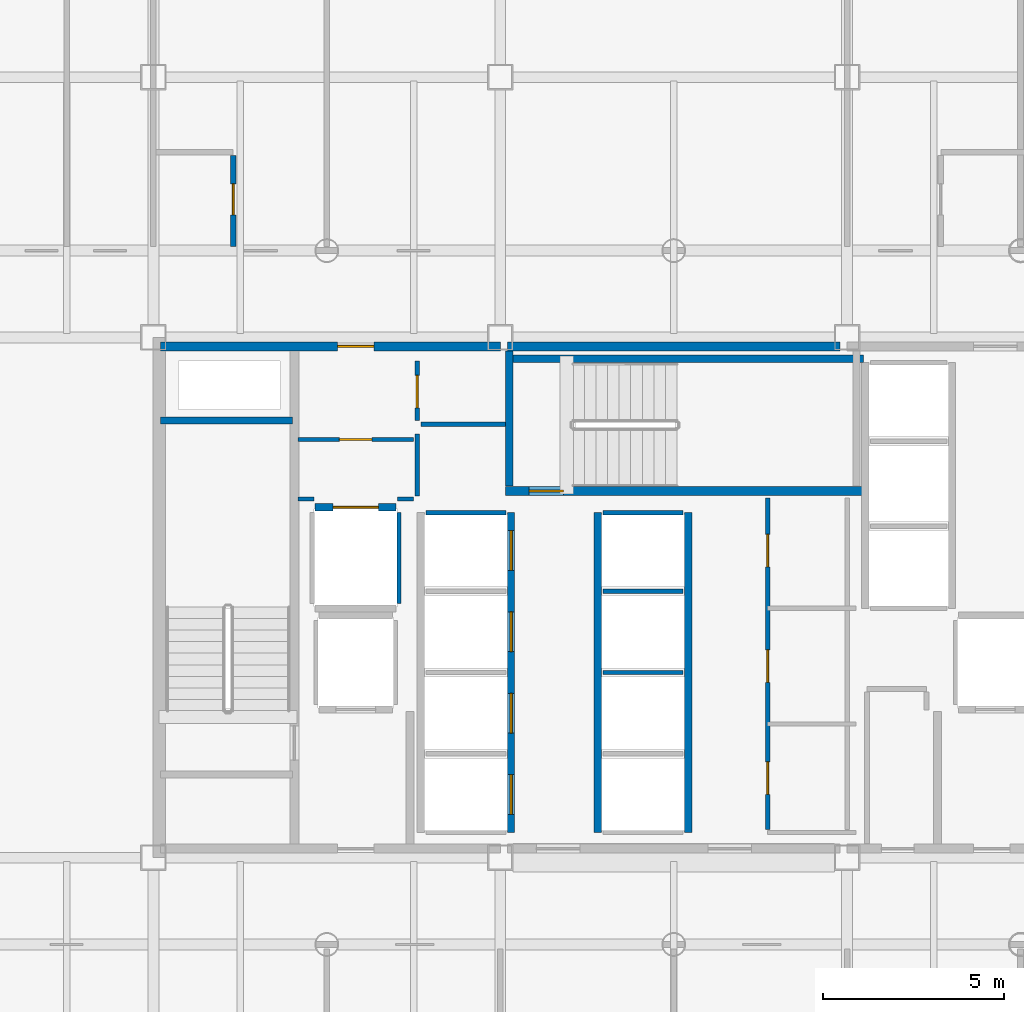
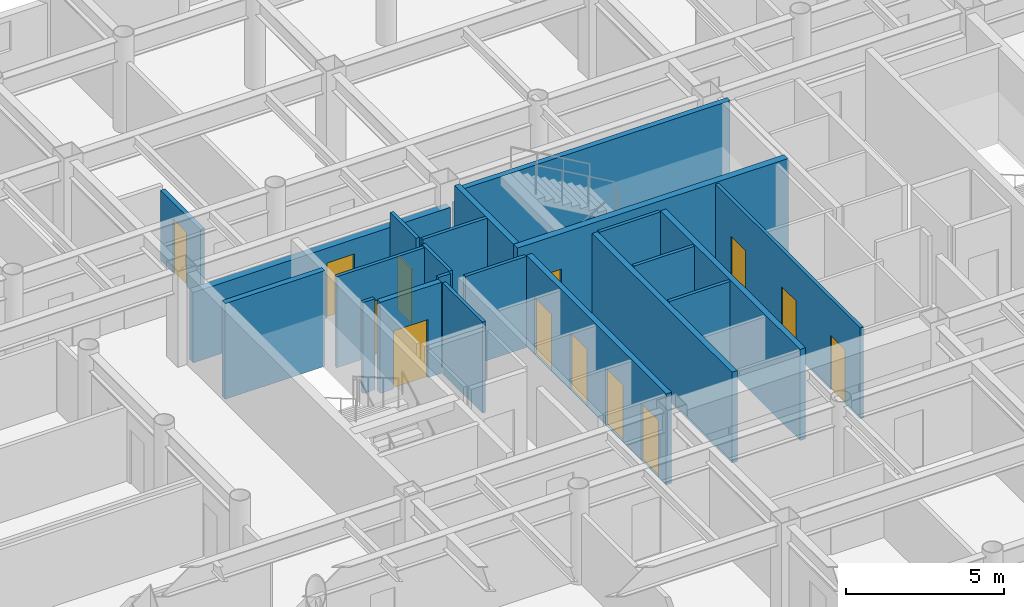
# One storey, part 18 of 22: 23 walls, 13 doors, 13 openings.
"""IFC4 building model written with IfcOpenShell, lengths in metres."""

from ifc_helpers import new_model, si_unit, direction, frame, frame_2d, origin, place, context, subcontext, project, spatial, rectangle, extrude, material, layer, layer_set, type_object, element, fill, save


model = new_model("IFC4")

# Units and contexts
model_context = context("Model", 3, precision=1e-05, world=origin(), true_north=direction((0.0, 1.0)))
body_context = subcontext(model_context, "Body", "Model", "MODEL_VIEW")
ifc_project = project(units=[si_unit("LENGTHUNIT", "METRE"), si_unit("AREAUNIT", "SQUARE_METRE"), si_unit("VOLUMEUNIT", "CUBIC_METRE"), si_unit("PLANEANGLEUNIT", "RADIAN"), si_unit("MASSUNIT", "GRAM", prefix="KILO")], contexts=[model_context])

# Site, building, storey
site_placement = place(None, origin())
site = spatial("IfcSite", under=ifc_project, at=site_placement, CompositionType="ELEMENT")
building_placement = place(site_placement, origin())
building = spatial("IfcBuilding", under=site, at=building_placement, Name="Kallvorn Hotel Tower", CompositionType="ELEMENT")
storey_placement = place(building_placement, frame((0.0, 0.0, 117.39990234375)))
storey = spatial("IfcBuildingStorey", under=building, at=storey_placement, Name="L28", CompositionType="ELEMENT", Elevation=117.39990234375)

# Wall, opening, door
ifc_material_1 = material(Name="Fire-rated double-layer acoustic gypsum drywall EI 60")
ifc_layer_1 = layer(ifc_material_1, 0.159912109375)
ifc_layer_set_1 = layer_set([ifc_layer_1], Name="WL_DEMISE_160")
wall_type_1 = type_object("IfcWallType", Name="WL_DEMISE_160", PredefinedType="PARTITIONING", material=ifc_layer_set_1)
wall_1_placement = place(storey_placement, frame((-12.18994140625, 9.719970703125, 0.0), z_axis=(0.0, 0.0, 1.0), x_axis=(0.0, 1.0, 0.0)))
wall_1 = element("IfcWall", 1, at=wall_1_placement, inside=storey, type_object=wall_type_1, Name="L28 Suite 2808 Standard Twin Room Partition", PredefinedType="PARTITIONING", context=body_context, shape_type="SweptSolid", body=[
    extrude(rectangle(XDim=2.51513671875, YDim=0.159912109375, at=frame_2d((1.257568359375, 0.0))), origin(), (0.0, 0.0, 1.0), 2.72021484375),
])
opening_1_placement = place(wall_1_placement, frame((0.8701171875, 0.0, 0.0)))
opening_1 = element("IfcOpeningElement", 2, at=opening_1_placement, cuts=wall_1, Name="Opening BD-I", PredefinedType="OPENING", context=body_context, shape_type="SweptSolid", body=[
    extrude(rectangle(XDim=0.860107421875, YDim=2.10009765625, at=frame_2d((0.43017578125, 1.050048828125))), frame((0.0, 0.094970703125, 0.0), z_axis=(0.0, -1.0, 0.0), x_axis=(1.0, 0.0, 0.0)), (0.0, 0.0, 1.0), 0.18994140625),
])
ifc_material_2 = material(Name="Solid-core walnut veneer fire-rated timber door leaf", Category="wood")
door_type_1 = type_object("IfcDoorType", Name="DR_BATH_860x2100", OperationType="NOTDEFINED", PredefinedType="DOOR", material=ifc_material_2)
door_1_placement = place(opening_1_placement, origin())
door_1 = element("IfcDoor", 3, at=door_1_placement, inside=storey, type_object=door_type_1, Name="L28 Suite 2808 En-Suite Bathroom Door", OperationType="SINGLE_SWING_RIGHT", OverallHeight=2.10009765625, OverallWidth=0.860107421875, PredefinedType="DOOR", context=body_context, shape_type="SweptSolid", body=[
    extrude(rectangle(XDim=0.860107421875, YDim=2.10009765625, at=frame_2d((0.43017578125, 1.050048828125))), frame((0.0, 0.02490234375, 0.0), z_axis=(0.0, -1.0, 0.0), x_axis=(1.0, 0.0, 0.0)), (0.0, 0.0, 1.0), 0.050048828125),
])
fill(opening_1, door_1)

# Walls
ifc_material_3 = material(Name="Concrete C40/50", Category="concrete")
ifc_layer_2 = layer(ifc_material_3, 0.199951171875)
ifc_layer_set_2 = layer_set([ifc_layer_2], Name="WL_HOIST_200")
wall_type_2 = type_object("IfcWallType", Name="WL_HOIST_200", PredefinedType="SOLIDWALL", material=ifc_layer_set_2)
wall_2_placement = place(storey_placement, frame((-14.199951171875, 4.89990234375, -0.179931640625), z_axis=(0.0, 0.0, 1.0), x_axis=(1.0, 0.0, 0.0)))
element("IfcWall", 4, at=wall_2_placement, inside=storey, type_object=wall_type_2, Name="L28 Stair ST1 North Wall", PredefinedType="SOLIDWALL", context=body_context, shape_type="SweptSolid", body=[
    extrude(rectangle(XDim=3.64990234375, YDim=0.199951171875, at=frame_2d((1.824951171875, 0.0))), origin(), (0.0, 0.0, 1.0), 3.699951171875),
])
wall_3_placement = place(storey_placement, frame((-4.64990234375, 6.610107421875, -0.179931640625), z_axis=(0.0, 0.0, 1.0), x_axis=(1.0, 0.0, 0.0)))
element("IfcWall", 5, at=wall_3_placement, inside=storey, type_object=wall_type_2, Name="L28 Stair ST3 Shaft North Wall", PredefinedType="SOLIDWALL", context=body_context, shape_type="SweptSolid", body=[
    extrude(rectangle(XDim=9.89990234375, YDim=0.199951171875, at=frame_2d((4.949951171875, 0.0))), origin(), (0.0, 0.0, 1.0), 3.699951171875),
])
wall_4_placement = place(storey_placement, frame((-4.550048828125, 3.080078125, -0.179931640625), z_axis=(0.0, 0.0, 1.0), x_axis=(0.0, 1.0, 0.0)))
element("IfcWall", 6, at=wall_4_placement, inside=storey, type_object=wall_type_2, Name="L28 Stair ST3 West Wall", PredefinedType="SOLIDWALL", context=body_context, shape_type="SweptSolid", body=[
    extrude(rectangle(XDim=3.739990234375, YDim=0.199951171875, at=frame_2d((1.8701171875, 0.0))), origin(), (0.0, 0.0, 1.0), 3.699951171875),
])

# Wall, openings, doors
wall_5_placement = place(storey_placement, frame((-4.5, -6.5, 0.0), z_axis=(0.0, 0.0, 1.0), x_axis=(0.0, 1.0, 0.0)))
wall_5 = element("IfcWall", 7, at=wall_5_placement, inside=storey, type_object=wall_type_2, Name="L28 Lift Bank B1 Landing Wall", PredefinedType="SOLIDWALL", context=body_context, shape_type="SweptSolid", body=[
    extrude(rectangle(XDim=8.85009765625, YDim=0.199951171875, at=frame_2d((4.425048828125, 0.0))), origin(), (0.0, 0.0, 1.0), 3.52001953125),
])
opening_2_placement = place(wall_5_placement, frame((0.5, 0.0, 0.0)))
opening_2 = element("IfcOpeningElement", 8, at=opening_2_placement, cuts=wall_5, Name="Opening LD-PL-01", PredefinedType="OPENING", context=body_context, shape_type="SweptSolid", body=[
    extrude(rectangle(XDim=1.10009765625, YDim=2.199951171875, at=frame_2d((0.550048828125, 1.10009765625))), frame((0.0, 0.114990234375, 0.0), z_axis=(0.0, -1.0, 0.0), x_axis=(1.0, 0.0, 0.0)), (0.0, 0.0, 1.0), 0.22998046875),
])
opening_3_placement = place(wall_5_placement, frame((2.75, 0.0, 0.0)))
opening_3 = element("IfcOpeningElement", 9, at=opening_3_placement, cuts=wall_5, Name="Opening LD-PL-02", PredefinedType="OPENING", context=body_context, shape_type="SweptSolid", body=[
    extrude(rectangle(XDim=1.10009765625, YDim=2.199951171875, at=frame_2d((0.550048828125, 1.10009765625))), frame((0.0, 0.114990234375, 0.0), z_axis=(0.0, -1.0, 0.0), x_axis=(1.0, 0.0, 0.0)), (0.0, 0.0, 1.0), 0.22998046875),
])
opening_4_placement = place(wall_5_placement, frame((5.0, 0.0, 0.0)))
opening_4 = element("IfcOpeningElement", 10, at=opening_4_placement, cuts=wall_5, Name="Opening LD-PL-03", PredefinedType="OPENING", context=body_context, shape_type="SweptSolid", body=[
    extrude(rectangle(XDim=1.10009765625, YDim=2.199951171875, at=frame_2d((0.550048828125, 1.10009765625))), frame((0.0, 0.114990234375, 0.0), z_axis=(0.0, -1.0, 0.0), x_axis=(1.0, 0.0, 0.0)), (0.0, 0.0, 1.0), 0.22998046875),
])
opening_5_placement = place(wall_5_placement, frame((7.25, 0.0, 0.0)))
opening_5 = element("IfcOpeningElement", 11, at=opening_5_placement, cuts=wall_5, Name="Opening LD-PL-04", PredefinedType="OPENING", context=body_context, shape_type="SweptSolid", body=[
    extrude(rectangle(XDim=1.10009765625, YDim=2.199951171875, at=frame_2d((0.550048828125, 1.10009765625))), frame((0.0, 0.114990234375, 0.0), z_axis=(0.0, -1.0, 0.0), x_axis=(1.0, 0.0, 0.0)), (0.0, 0.0, 1.0), 0.22998046875),
])
ifc_material_4 = material(Name="Brushed stainless-steel automatic sliding lift landing door", Category="steel")
door_type_2 = type_object("IfcDoorType", Name="LD_PASS_1100x2200", OperationType="SLIDING_TO_LEFT", PredefinedType="DOOR", material=ifc_material_4)
door_2_placement = place(opening_2_placement, origin())
door_2 = element("IfcDoor", 12, at=door_2_placement, inside=storey, type_object=door_type_2, Name="L28 Lift Landing Sliding Door LD-PL-01", OperationType="SLIDING_TO_LEFT", OverallHeight=2.199951171875, OverallWidth=1.10009765625, PredefinedType="DOOR", context=body_context, shape_type="SweptSolid", body=[
    extrude(rectangle(XDim=1.10009765625, YDim=2.199951171875, at=frame_2d((0.550048828125, 1.10009765625))), frame((0.0, 0.02490234375, 0.0), z_axis=(0.0, -1.0, 0.0), x_axis=(1.0, 0.0, 0.0)), (0.0, 0.0, 1.0), 0.050048828125),
])
fill(opening_2, door_2)
door_3_placement = place(opening_3_placement, origin())
door_3 = element("IfcDoor", 13, at=door_3_placement, inside=storey, type_object=door_type_2, Name="L28 Lift Landing Sliding Door LD-PL-02", OperationType="SLIDING_TO_LEFT", OverallHeight=2.199951171875, OverallWidth=1.10009765625, PredefinedType="DOOR", context=body_context, shape_type="SweptSolid", body=[
    extrude(rectangle(XDim=1.10009765625, YDim=2.199951171875, at=frame_2d((0.550048828125, 1.10009765625))), frame((0.0, 0.02490234375, 0.0), z_axis=(0.0, -1.0, 0.0), x_axis=(1.0, 0.0, 0.0)), (0.0, 0.0, 1.0), 0.050048828125),
])
fill(opening_3, door_3)
door_4_placement = place(opening_4_placement, origin())
door_4 = element("IfcDoor", 14, at=door_4_placement, inside=storey, type_object=door_type_2, Name="L28 Lift Landing Sliding Door LD-PL-03", OperationType="SLIDING_TO_LEFT", OverallHeight=2.199951171875, OverallWidth=1.10009765625, PredefinedType="DOOR", context=body_context, shape_type="SweptSolid", body=[
    extrude(rectangle(XDim=1.10009765625, YDim=2.199951171875, at=frame_2d((0.550048828125, 1.10009765625))), frame((0.0, 0.02490234375, 0.0), z_axis=(0.0, -1.0, 0.0), x_axis=(1.0, 0.0, 0.0)), (0.0, 0.0, 1.0), 0.050048828125),
])
fill(opening_4, door_4)
door_5_placement = place(opening_5_placement, origin())
door_5 = element("IfcDoor", 15, at=door_5_placement, inside=storey, type_object=door_type_2, Name="L28 Lift Landing Sliding Door LD-PL-04", OperationType="SLIDING_TO_LEFT", OverallHeight=2.199951171875, OverallWidth=1.10009765625, PredefinedType="DOOR", context=body_context, shape_type="SweptSolid", body=[
    extrude(rectangle(XDim=1.10009765625, YDim=2.199951171875, at=frame_2d((0.550048828125, 1.10009765625))), frame((0.0, 0.02490234375, 0.0), z_axis=(0.0, -1.0, 0.0), x_axis=(1.0, 0.0, 0.0)), (0.0, 0.0, 1.0), 0.050048828125),
])
fill(opening_5, door_5)

# Walls
for number, where, z_axis, x_axis, name in (
    (16, (-2.10009765625, -6.5, 0.0), (0.0, 0.0, 1.0), (0.0, 1.0, 0.0), "L28 Lift Bank B2 Landing Wall"),
    (17, (0.39990234375, -6.5, 0.0), (0.0, 0.0, 1.0), (0.0, 1.0, 0.0), "L28 Lift Bank B2 Rear Shaft Wall"),
):
    element("IfcWall", number, at=place(storey_placement, frame(where, z_axis=z_axis, x_axis=x_axis)), inside=storey, type_object=wall_type_2, Name=name, PredefinedType="SOLIDWALL", context=body_context, shape_type="SweptSolid", body=[
        extrude(rectangle(XDim=8.85009765625, YDim=0.199951171875, at=frame_2d((4.425048828125, 0.0))), origin(), (0.0, 0.0, 1.0), 3.52001953125),
    ])

# Wall, opening, door
wall_6_placement = place(storey_placement, frame((-9.919921875, 2.5, 0.0), z_axis=(0.0, 0.0, 1.0), x_axis=(1.0, 0.0, 0.0)))
wall_6 = element("IfcWall", 18, at=wall_6_placement, inside=storey, type_object=wall_type_2, Name="L28 SV-01 Landing Wall", PredefinedType="SOLIDWALL", context=body_context, shape_type="SweptSolid", body=[
    extrude(rectangle(XDim=2.239990234375, YDim=0.199951171875, at=frame_2d((1.1201171875, 0.0))), origin(), (0.0, 0.0, 1.0), 3.52001953125),
])
opening_6_placement = place(wall_6_placement, frame((0.4951171875, 0.0, 0.0)))
opening_6 = element("IfcOpeningElement", 19, at=opening_6_placement, cuts=wall_6, Name="Opening LD-SV-01", PredefinedType="OPENING", context=body_context, shape_type="SweptSolid", body=[
    extrude(rectangle(XDim=1.25, YDim=2.25, at=frame_2d((0.625, 1.125))), frame((0.0, 0.114990234375, 0.0), z_axis=(0.0, -1.0, 0.0), x_axis=(1.0, 0.0, 0.0)), (0.0, 0.0, 1.0), 0.22998046875),
])
ifc_material_5 = material(Name="Brushed stainless-steel automatic sliding lift landing door", Category="steel")
door_type_3 = type_object("IfcDoorType", Name="LD_SERV_1250x2250", OperationType="SLIDING_TO_LEFT", PredefinedType="DOOR", material=ifc_material_5)
door_6_placement = place(opening_6_placement, origin())
door_6 = element("IfcDoor", 20, at=door_6_placement, inside=storey, type_object=door_type_3, Name="L28 Lift Landing Sliding Door LD-SV-01", OperationType="SLIDING_TO_LEFT", OverallHeight=2.25, OverallWidth=1.25, PredefinedType="DOOR", context=body_context, shape_type="SweptSolid", body=[
    extrude(rectangle(XDim=1.25, YDim=2.25, at=frame_2d((0.625, 1.125))), frame((0.0, 0.02490234375, 0.0), z_axis=(0.0, -1.0, 0.0), x_axis=(1.0, 0.0, 0.0)), (0.0, 0.0, 1.0), 0.050048828125),
])
fill(opening_6, door_6)

# Walls
ifc_material_6 = material(Name="Fire-rated double-layer acoustic gypsum drywall EI 60")
ifc_layer_3 = layer(ifc_material_6, 0.1201171875)
ifc_layer_set_3 = layer_set([ifc_layer_3], Name="WL_INT_120")
wall_type_3 = type_object("IfcWallType", Name="WL_INT_120", PredefinedType="PARTITIONING", material=ifc_layer_set_3)
wall_7_placement = place(storey_placement, frame((-6.860107421875, 2.35009765625, 0.0), z_axis=(0.0, 0.0, 1.0), x_axis=(1.0, 0.0, 0.0)))
element("IfcWall", 21, at=wall_7_placement, inside=storey, type_object=wall_type_3, Name="L28 PL-04 Hoistway Divider", PredefinedType="PARTITIONING", context=body_context, shape_type="SweptSolid", body=[
    extrude(rectangle(XDim=2.22021484375, YDim=0.1201171875, at=frame_2d((1.110107421875, 0.0))), origin(), (0.0, 0.0, 1.0), 3.52001953125),
])
for number, where, z_axis, x_axis, name in (
    (22, (-1.9599609375, -2.074951171875, 0.0), (0.0, 0.0, 1.0), (1.0, 0.0, 0.0), "L28 PL-06 Hoistway Divider"),
    (23, (-1.9599609375, 0.175048828125, 0.0), (0.0, 0.0, 1.0), (1.0, 0.0, 0.0), "L28 PL-07 Hoistway Divider"),
    (24, (-1.9599609375, 2.35009765625, 0.0), (0.0, 0.0, 1.0), (1.0, 0.0, 0.0), "L28 PL-08 Hoistway Divider"),
):
    element("IfcWall", number, at=place(storey_placement, frame(where, z_axis=z_axis, x_axis=x_axis)), inside=storey, type_object=wall_type_3, Name=name, PredefinedType="PARTITIONING", context=body_context, shape_type="SweptSolid", body=[
        extrude(rectangle(XDim=2.219970703125, YDim=0.1201171875, at=frame_2d((1.10986328125, 0.0))), origin(), (0.0, 0.0, 1.0), 3.52001953125),
    ])
wall_8_placement = place(storey_placement, frame((-7.60009765625, -0.159912109375, 0.0), z_axis=(0.0, 0.0, 1.0), x_axis=(0.0, 1.0, 0.0)))
element("IfcWall", 25, at=wall_8_placement, inside=storey, type_object=wall_type_3, Name="L28 SV-01 East Shaft Wall", PredefinedType="PARTITIONING", context=body_context, shape_type="SweptSolid", body=[
    extrude(rectangle(XDim=2.52001953125, YDim=0.1201171875, at=frame_2d((1.260009765625, 0.0))), origin(), (0.0, 0.0, 1.0), 3.52001953125),
])
for number, where, z_axis, x_axis, name in (
    (26, (-10.39990234375, 2.72509765625, 0.0), (0.0, 0.0, 1.0), (1.0, 0.0, 0.0), "L28 Core Telecom and Metering Store Partition"),
    (27, (-7.639892578125, 2.72509765625, 0.0), (0.0, 0.0, 1.0), (1.0, 0.0, 0.0), "L28 Core Telecom and Metering Store Partition"),
):
    element("IfcWall", number, at=place(storey_placement, frame(where, z_axis=z_axis, x_axis=x_axis)), inside=storey, type_object=wall_type_3, Name=name, PredefinedType="PARTITIONING", context=body_context, shape_type="SweptSolid", body=[
        extrude(rectangle(XDim=0.43994140625, YDim=0.1201171875, at=frame_2d((0.219970703125, 0.0))), origin(), (0.0, 0.0, 1.0), 3.52001953125),
    ])

# Wall, opening, door
wall_9_placement = place(storey_placement, frame((-10.39990234375, 4.373291015625, 0.0), z_axis=(0.0, 0.0, 1.0), x_axis=(1.0, 0.0, 0.0)))
wall_9 = element("IfcWall", 28, at=wall_9_placement, inside=storey, type_object=wall_type_3, Name="L28 Core Telecom and Metering Store Partition", PredefinedType="PARTITIONING", context=body_context, shape_type="SweptSolid", body=[
    extrude(rectangle(XDim=3.199951171875, YDim=0.1201171875, at=frame_2d((1.60009765625, 0.0))), origin(), (0.0, 0.0, 1.0), 3.52001953125),
])
opening_7_placement = place(wall_9_placement, frame((1.14990234375, 0.0, 0.0)))
opening_7 = element("IfcOpeningElement", 29, at=opening_7_placement, cuts=wall_9, Name="Opening SVD1", PredefinedType="OPENING", context=body_context, shape_type="SweptSolid", body=[
    extrude(rectangle(XDim=0.89990234375, YDim=2.10009765625, at=frame_2d((0.449951171875, 1.050048828125))), frame((0.0, 0.074951171875, 0.0), z_axis=(0.0, -1.0, 0.0), x_axis=(1.0, 0.0, 0.0)), (0.0, 0.0, 1.0), 0.150146484375),
])
ifc_material_7 = material(Name="Galvanised painted steel fire-rated door assembly", Category="steel")
door_type_4 = type_object("IfcDoorType", Name="DR_SERV_900x2100", OperationType="NOTDEFINED", PredefinedType="DOOR", material=ifc_material_7)
door_7_placement = place(opening_7_placement, origin())
door_7 = element("IfcDoor", 30, at=door_7_placement, inside=storey, type_object=door_type_4, Name="L28 Core Telecom and Metering Store Door", OperationType="SINGLE_SWING_LEFT", OverallHeight=2.10009765625, OverallWidth=0.89990234375, PredefinedType="DOOR", context=body_context, shape_type="SweptSolid", body=[
    extrude(rectangle(XDim=0.89990234375, YDim=2.10009765625, at=frame_2d((0.449951171875, 1.050048828125))), frame((0.0, 0.02490234375, 0.0), z_axis=(0.0, -1.0, 0.0), x_axis=(1.0, 0.0, 0.0)), (0.0, 0.0, 1.0), 0.050048828125),
])
fill(opening_7, door_7)

# Walls
wall_10_placement = place(storey_placement, frame((-7.0, 4.800048828125, 0.0), z_axis=(0.0, 0.0, 1.0), x_axis=(1.0, 0.0, 0.0)))
element("IfcWall", 31, at=wall_10_placement, inside=storey, type_object=wall_type_3, Name="L28 Core Room Service Staging Pantry Partition", PredefinedType="PARTITIONING", context=body_context, shape_type="SweptSolid", body=[
    extrude(rectangle(XDim=2.35009765625, YDim=0.1201171875, at=frame_2d((1.175048828125, 0.0))), origin(), (0.0, 0.0, 1.0), 3.52001953125),
])
wall_11_placement = place(storey_placement, frame((-7.10009765625, 2.81005859375, 0.0), z_axis=(0.0, 0.0, 1.0), x_axis=(0.0, 1.0, 0.0)))
element("IfcWall", 32, at=wall_11_placement, inside=storey, type_object=wall_type_3, Name="L28 Core Telecom and Metering Store Partition", PredefinedType="PARTITIONING", context=body_context, shape_type="SweptSolid", body=[
    extrude(rectangle(XDim=1.7099609375, YDim=0.1201171875, at=frame_2d((0.85498046875, 0.0))), origin(), (0.0, 0.0, 1.0), 3.52001953125),
])

# Wall, opening, door
wall_12_placement = place(storey_placement, frame((-7.10009765625, 4.89990234375, 0.0), z_axis=(0.0, 0.0, 1.0), x_axis=(0.0, 1.0, 0.0)))
wall_12 = element("IfcWall", 33, at=wall_12_placement, inside=storey, type_object=wall_type_3, Name="L28 Core Room Service Staging Pantry Partition", PredefinedType="PARTITIONING", context=body_context, shape_type="SweptSolid", body=[
    extrude(rectangle(XDim=1.650146484375, YDim=0.1201171875, at=frame_2d((0.8251953125, 0.0))), origin(), (0.0, 0.0, 1.0), 3.52001953125),
])
opening_8_placement = place(wall_12_placement, frame((0.35009765625, 0.0, 0.0)))
opening_8 = element("IfcOpeningElement", 34, at=opening_8_placement, cuts=wall_12, Name="Opening SVD1", PredefinedType="OPENING", context=body_context, shape_type="SweptSolid", body=[
    extrude(rectangle(XDim=0.89990234375, YDim=2.10009765625, at=frame_2d((0.449951171875, 1.050048828125))), frame((0.0, 0.074951171875, 0.0), z_axis=(0.0, -1.0, 0.0), x_axis=(1.0, 0.0, 0.0)), (0.0, 0.0, 1.0), 0.150146484375),
])
door_8_placement = place(opening_8_placement, origin())
door_8 = element("IfcDoor", 35, at=door_8_placement, inside=storey, type_object=door_type_4, Name="L28 Core Room Service Staging Pantry Door", OperationType="SINGLE_SWING_LEFT", OverallHeight=2.10009765625, OverallWidth=0.89990234375, PredefinedType="DOOR", context=body_context, shape_type="SweptSolid", body=[
    extrude(rectangle(XDim=0.89990234375, YDim=2.10009765625, at=frame_2d((0.449951171875, 1.050048828125))), frame((0.0, 0.02490234375, 0.0), z_axis=(0.0, -1.0, 0.0), x_axis=(1.0, 0.0, 0.0)), (0.0, 0.0, 1.0), 0.050048828125),
])
fill(opening_8, door_8)

# Wall, openings, doors
wall_13_placement = place(storey_placement, frame((2.60009765625, -6.4150390625, 0.0), z_axis=(0.0, 0.0, 1.0), x_axis=(0.0, 1.0, 0.0)))
wall_13 = element("IfcWall", 36, at=wall_13_placement, inside=storey, type_object=wall_type_3, Name="L28 East Core Minibar Store Partition", PredefinedType="PARTITIONING", context=body_context, shape_type="SweptSolid", body=[
    extrude(rectangle(XDim=9.1650390625, YDim=0.1201171875, at=frame_2d((4.58251953125, 0.0))), origin(), (0.0, 0.0, 1.0), 3.52001953125),
])
opening_9_placement = place(wall_13_placement, frame((0.965087890625, 0.0, 0.0)))
opening_9 = element("IfcOpeningElement", 37, at=opening_9_placement, cuts=wall_13, Name="Opening SVD1", PredefinedType="OPENING", context=body_context, shape_type="SweptSolid", body=[
    extrude(rectangle(XDim=0.89990234375, YDim=2.10009765625, at=frame_2d((0.449951171875, 1.050048828125))), frame((0.0, 0.074951171875, 0.0), z_axis=(0.0, -1.0, 0.0), x_axis=(1.0, 0.0, 0.0)), (0.0, 0.0, 1.0), 0.150146484375),
])
opening_10_placement = place(wall_13_placement, frame((4.06494140625, 0.0, 0.0)))
opening_10 = element("IfcOpeningElement", 38, at=opening_10_placement, cuts=wall_13, Name="Opening SVD1", PredefinedType="OPENING", context=body_context, shape_type="SweptSolid", body=[
    extrude(rectangle(XDim=0.89990234375, YDim=2.10009765625, at=frame_2d((0.449951171875, 1.050048828125))), frame((0.0, 0.074951171875, 0.0), z_axis=(0.0, -1.0, 0.0), x_axis=(1.0, 0.0, 0.0)), (0.0, 0.0, 1.0), 0.150146484375),
])
opening_11_placement = place(wall_13_placement, frame((7.264892578125, 0.0, 0.0)))
opening_11 = element("IfcOpeningElement", 39, at=opening_11_placement, cuts=wall_13, Name="Opening SVD1", PredefinedType="OPENING", context=body_context, shape_type="SweptSolid", body=[
    extrude(rectangle(XDim=0.89990234375, YDim=2.10009765625, at=frame_2d((0.449951171875, 1.050048828125))), frame((0.0, 0.074951171875, 0.0), z_axis=(0.0, -1.0, 0.0), x_axis=(1.0, 0.0, 0.0)), (0.0, 0.0, 1.0), 0.150146484375),
])
door_9_placement = place(opening_9_placement, origin())
door_9 = element("IfcDoor", 40, at=door_9_placement, inside=storey, type_object=door_type_4, Name="L28 East Core Minibar Store Door", OperationType="SINGLE_SWING_LEFT", OverallHeight=2.10009765625, OverallWidth=0.89990234375, PredefinedType="DOOR", context=body_context, shape_type="SweptSolid", body=[
    extrude(rectangle(XDim=0.89990234375, YDim=2.10009765625, at=frame_2d((0.449951171875, 1.050048828125))), frame((0.0, 0.02490234375, 0.0), z_axis=(0.0, -1.0, 0.0), x_axis=(1.0, 0.0, 0.0)), (0.0, 0.0, 1.0), 0.050048828125),
])
fill(opening_9, door_9)
door_10_placement = place(opening_10_placement, origin())
door_10 = element("IfcDoor", 41, at=door_10_placement, inside=storey, type_object=door_type_4, Name="L28 East Core Housekeeping Supply Closet Door", OperationType="SINGLE_SWING_RIGHT", OverallHeight=2.10009765625, OverallWidth=0.89990234375, PredefinedType="DOOR", context=body_context, shape_type="SweptSolid", body=[
    extrude(rectangle(XDim=0.89990234375, YDim=2.10009765625, at=frame_2d((0.449951171875, 1.050048828125))), frame((0.0, 0.02490234375, 0.0), z_axis=(0.0, -1.0, 0.0), x_axis=(1.0, 0.0, 0.0)), (0.0, 0.0, 1.0), 0.050048828125),
])
fill(opening_10, door_10)
door_11_placement = place(opening_11_placement, origin())
door_11 = element("IfcDoor", 42, at=door_11_placement, inside=storey, type_object=door_type_4, Name="L28 East Core Cleaners Room Door", OperationType="SINGLE_SWING_LEFT", OverallHeight=2.10009765625, OverallWidth=0.89990234375, PredefinedType="DOOR", context=body_context, shape_type="SweptSolid", body=[
    extrude(rectangle(XDim=0.89990234375, YDim=2.10009765625, at=frame_2d((0.449951171875, 1.050048828125))), frame((0.0, 0.02490234375, 0.0), z_axis=(0.0, -1.0, 0.0), x_axis=(1.0, 0.0, 0.0)), (0.0, 0.0, 1.0), 0.050048828125),
])
fill(opening_11, door_11)

# Wall, opening, door
ifc_material_8 = material(Name="Concrete C40/50", Category="concrete")
ifc_layer_4 = layer(ifc_material_8, 0.25)
ifc_layer_set_4 = layer_set([ifc_layer_4], Name="WL_SHAFT_250")
wall_type_4 = type_object("IfcWallType", Name="WL_SHAFT_250", PredefinedType="SOLIDWALL", material=ifc_layer_set_4)
wall_14_placement = place(storey_placement, frame((-14.199951171875, 6.949951171875, 0.0), z_axis=(0.0, 0.0, 1.0), x_axis=(1.0, 0.0, 0.0)))
wall_14 = element("IfcWall", 43, at=wall_14_placement, inside=storey, type_object=wall_type_4, Name="L28 Core North-West Wall", PredefinedType="SOLIDWALL", context=body_context, shape_type="SweptSolid", body=[
    extrude(rectangle(XDim=9.39990234375, YDim=0.25, at=frame_2d((4.699951171875, 0.0))), origin(), (0.0, 0.0, 1.0), 2.72021484375),
])
opening_12_placement = place(wall_14_placement, frame((4.89990234375, 0.0, 0.0)))
opening_12 = element("IfcOpeningElement", 44, at=opening_12_placement, cuts=wall_14, Name="Opening FD1", PredefinedType="OPENING", context=body_context, shape_type="SweptSolid", body=[
    extrude(rectangle(XDim=1.0, YDim=2.14990234375, at=frame_2d((0.5, 1.074951171875))), frame((0.0, 0.139892578125, 0.0), z_axis=(0.0, -1.0, 0.0), x_axis=(1.0, 0.0, 0.0)), (0.0, 0.0, 1.0), 0.280029296875),
])
ifc_material_9 = material(Name="Galvanised painted steel fire-rated door assembly", Category="steel")
door_type_5 = type_object("IfcDoorType", Name="DR_FFL_1000x2150", OperationType="NOTDEFINED", PredefinedType="DOOR", material=ifc_material_9)
door_12_placement = place(opening_12_placement, origin())
door_12 = element("IfcDoor", 45, at=door_12_placement, inside=storey, type_object=door_type_5, Name="L28 Service Lift Lobby Door", OperationType="SINGLE_SWING_RIGHT", OverallHeight=2.14990234375, OverallWidth=1.0, PredefinedType="DOOR", context=body_context, shape_type="SweptSolid", body=[
    extrude(rectangle(XDim=1.0, YDim=2.14990234375, at=frame_2d((0.5, 1.074951171875))), frame((0.0, 0.02490234375, 0.0), z_axis=(0.0, -1.0, 0.0), x_axis=(1.0, 0.0, 0.0)), (0.0, 0.0, 1.0), 0.050048828125),
])
fill(opening_12, door_12)

# Wall
wall_15_placement = place(storey_placement, frame((-4.60009765625, 6.949951171875, 0.0), z_axis=(0.0, 0.0, 1.0), x_axis=(1.0, 0.0, 0.0)))
element("IfcWall", 46, at=wall_15_placement, inside=storey, type_object=wall_type_4, Name="L28 Core North-Central Wall", PredefinedType="SOLIDWALL", context=body_context, shape_type="SweptSolid", body=[
    extrude(rectangle(XDim=9.2001953125, YDim=0.25, at=frame_2d((4.60009765625, 0.0))), origin(), (0.0, 0.0, 1.0), 2.72021484375),
])

# Wall, opening, door
wall_16_placement = place(storey_placement, frame((-4.64990234375, 2.949951171875, -0.179931640625), z_axis=(0.0, 0.0, 1.0), x_axis=(1.0, 0.0, 0.0)))
wall_16 = element("IfcWall", 47, at=wall_16_placement, inside=storey, type_object=wall_type_4, Name="L28 Stair ST3 Shaft South Wall", PredefinedType="SOLIDWALL", context=body_context, shape_type="SweptSolid", body=[
    extrude(rectangle(XDim=9.89990234375, YDim=0.25, at=frame_2d((4.949951171875, 0.0))), origin(), (0.0, 0.0, 1.0), 3.699951171875),
])
opening_13_placement = place(wall_16_placement, frame((0.64990234375, 0.0, 0.179931640625)))
opening_13 = element("IfcOpeningElement", 48, at=opening_13_placement, cuts=wall_16, Name="Opening SD1", PredefinedType="OPENING", context=body_context, shape_type="SweptSolid", body=[
    extrude(rectangle(XDim=0.949951171875, YDim=2.14990234375, at=frame_2d((0.47509765625, 1.074951171875))), frame((0.0, 0.139892578125, 0.0), z_axis=(0.0, -1.0, 0.0), x_axis=(1.0, 0.0, 0.0)), (0.0, 0.0, 1.0), 0.280029296875),
])
ifc_material_10 = material(Name="Galvanised painted steel fire-rated door assembly", Category="steel")
door_type_6 = type_object("IfcDoorType", Name="DR_STAIR_950x2150", OperationType="NOTDEFINED", PredefinedType="DOOR", material=ifc_material_10)
door_13_placement = place(opening_13_placement, origin())
door_13 = element("IfcDoor", 49, at=door_13_placement, inside=storey, type_object=door_type_6, Name="L28 Exit Stair ST3 Fire Door", OperationType="SINGLE_SWING_RIGHT", OverallHeight=2.14990234375, OverallWidth=0.949951171875, PredefinedType="DOOR", context=body_context, shape_type="SweptSolid", body=[
    extrude(rectangle(XDim=0.949951171875, YDim=2.14990234375, at=frame_2d((0.47509765625, 1.074951171875))), frame((0.0, 0.02490234375, 0.0), z_axis=(0.0, -1.0, 0.0), x_axis=(1.0, 0.0, 0.0)), (0.0, 0.0, 1.0), 0.050048828125),
])
fill(opening_13, door_13)

save(model, "model.ifc")
